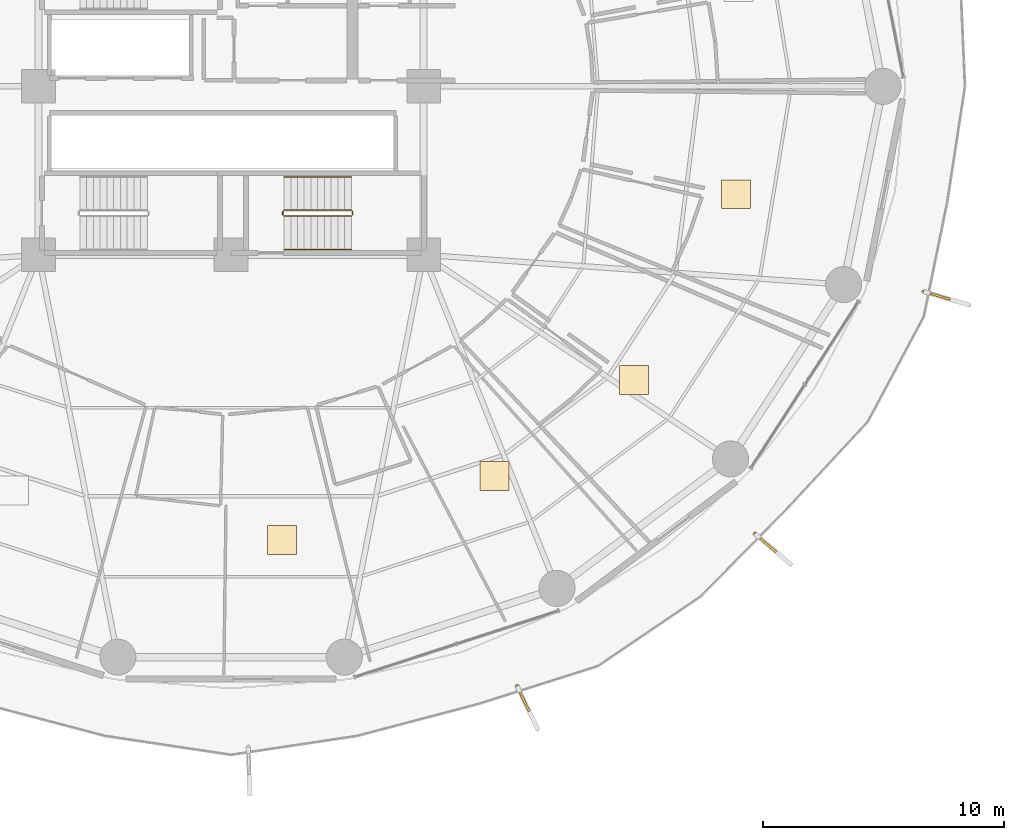
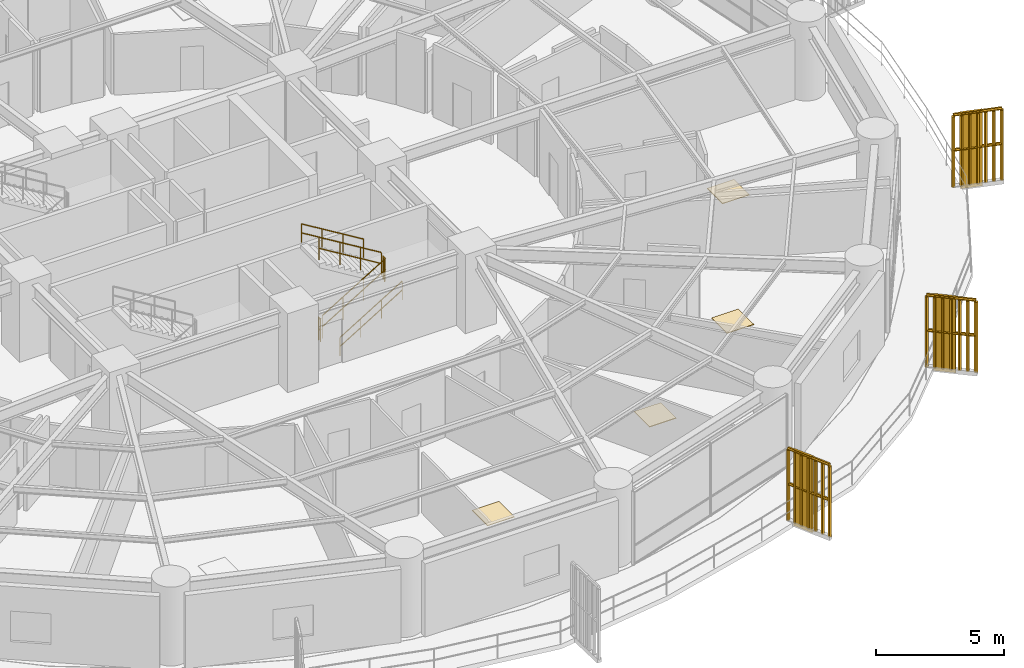
# One storey, part 32 of 34: 9 railings, 4 coverings, 3 shading devices.
"""IFC4 building model written with IfcOpenShell, lengths in metres."""

from ifc_helpers import new_model, si_unit, direction, frame, origin, origin_2d, place, context, subcontext, project, spatial, polyline, rectangle, outline, extrude, source, transform, mapped, material, layer, layer_set, type_object, element, save


model = new_model("IFC4")

# Units and contexts
model_context = context("Model", 3, precision=1e-05, world=origin(), true_north=direction((0.0, 1.0)))
body_context = subcontext(model_context, "Body", "Model", "MODEL_VIEW")
ifc_project = project(units=[si_unit("LENGTHUNIT", "METRE"), si_unit("AREAUNIT", "SQUARE_METRE"), si_unit("VOLUMEUNIT", "CUBIC_METRE"), si_unit("PLANEANGLEUNIT", "RADIAN"), si_unit("MASSUNIT", "GRAM", prefix="KILO")], contexts=[model_context])

# Site, building, storey
site_placement = place(None, origin())
site = spatial("IfcSite", under=ifc_project, at=site_placement, CompositionType="ELEMENT")
building_placement = place(site_placement, origin())
building = spatial("IfcBuilding", under=site, at=building_placement, Name="Kelanora Arch Commons", CompositionType="ELEMENT")
storey_placement = place(building_placement, frame((0.0, 0.0, 30.0)))
storey = spatial("IfcBuildingStorey", under=building, at=storey_placement, Name="L07", CompositionType="ELEMENT", Elevation=30.0)

# Railings
ifc_material_1 = material(Name="Anodised bronze vertical shading fin rib assembly")
railing_type_1 = type_object("IfcRailingType", Name="RAIL-FIN-BRZ", PredefinedType="BALUSTRADE", material=ifc_material_1)
railing_1_placement = place(storey_placement, frame((85.883056640625, 33.085693359375, -0.02001953125)))
element("IfcRailing", 1, at=railing_1_placement, inside=storey, type_object=railing_type_1, Name="Sweeping Bronze Vertical Fin Blade L07-12", PredefinedType="BALUSTRADE", context=body_context, shape_type="SweptSolid", body=[
    extrude(outline(polyline([(0.06982421875, 0.0), (0.034912109375, 0.060546875), (-0.034912109375, 0.060546875), (-0.06982421875, 0.0), (-0.034912109375, -0.060546875), (0.034912109375, -0.060546875), (0.06982421875, 0.0)])), frame((0.0, 0.0, 3.419921875), z_axis=(0.430452177424, -0.902613385094, 0.0), x_axis=(0.902613385094, 0.430452177424, 0.0)), (0.0, 0.0, 1.0), 1.955078125),
    extrude(outline(polyline([(0.06982421875, 0.0), (0.034912109375, 0.060546875), (-0.034912109375, 0.060546875), (-0.06982421875, 0.0), (-0.034912109375, -0.060546875), (0.034912109375, -0.060546875), (0.06982421875, 0.0)])), frame((0.0, 0.0, 1.7451171875), z_axis=(0.430452177424, -0.902613385094, 0.0), x_axis=(0.902613385094, 0.430452177424, 0.0)), (0.0, 0.0, 1.0), 1.955078125),
    extrude(outline(polyline([(0.080078125, 0.0), (0.0400390625, 0.0693359375), (-0.0400390625, 0.0693359375), (-0.080078125, 0.0), (-0.0400390625, -0.0693359375), (0.0400390625, -0.0693359375), (0.080078125, 0.0)])), origin(), (0.0, 0.0, 1.0), 3.35009765625),
    extrude(outline(polyline([(0.080078125, 0.0), (0.0400390625, 0.0693359375), (-0.0400390625, 0.0693359375), (-0.080078125, 0.0), (-0.0400390625, -0.0693359375), (0.0400390625, -0.0693359375), (0.080078125, 0.0)])), frame((0.14013671875, -0.294189453125, 0.0)), (0.0, 0.0, 1.0), 3.35009765625),
    extrude(outline(polyline([(0.080078125, 0.0), (0.0400390625, 0.0693359375), (-0.0400390625, 0.0693359375), (-0.080078125, 0.0), (-0.0400390625, -0.0693359375), (0.0400390625, -0.0693359375), (0.080078125, 0.0)])), frame((0.280517578125, -0.588134765625, 0.0)), (0.0, 0.0, 1.0), 3.35009765625),
    extrude(outline(polyline([(0.080078125, 0.0), (0.0400390625, 0.0693359375), (-0.0400390625, 0.0693359375), (-0.080078125, 0.0), (-0.0400390625, -0.0693359375), (0.0400390625, -0.0693359375), (0.080078125, 0.0)])), frame((0.4208984375, -0.88232421875, 0.0)), (0.0, 0.0, 1.0), 3.35009765625),
    extrude(outline(polyline([(0.080078125, 0.0), (0.0400390625, 0.0693359375), (-0.0400390625, 0.0693359375), (-0.080078125, 0.0), (-0.0400390625, -0.0693359375), (0.0400390625, -0.0693359375), (0.080078125, 0.0)])), frame((0.56103515625, -1.176513671875, 0.0)), (0.0, 0.0, 1.0), 3.35009765625),
    extrude(outline(polyline([(0.080078125, 0.0), (0.0400390625, 0.0693359375), (-0.0400390625, 0.0693359375), (-0.080078125, 0.0), (-0.0400390625, -0.0693359375), (0.0400390625, -0.0693359375), (0.080078125, 0.0)])), frame((0.701171875, -1.470458984375, 0.0)), (0.0, 0.0, 1.0), 3.35009765625),
    extrude(outline(polyline([(0.080078125, 0.0), (0.0400390625, 0.0693359375), (-0.0400390625, 0.0693359375), (-0.080078125, 0.0), (-0.0400390625, -0.0693359375), (0.0400390625, -0.0693359375), (0.080078125, 0.0)])), frame((0.841552734375, -1.7646484375, 0.0)), (0.0, 0.0, 1.0), 3.35009765625),
])
railing_2_placement = place(storey_placement, frame((95.76171875, 39.4130859375, -0.02001953125)))
element("IfcRailing", 2, at=railing_2_placement, inside=storey, type_object=railing_type_1, Name="Sweeping Bronze Vertical Fin Blade L07-13", PredefinedType="BALUSTRADE", context=body_context, shape_type="SweptSolid", body=[
    extrude(outline(polyline([(0.06982421875, 0.0), (0.034912109375, 0.060546875), (-0.034912109375, 0.060546875), (-0.06982421875, 0.0), (-0.034912109375, -0.060546875), (0.034912109375, -0.060546875), (0.06982421875, 0.0)])), frame((0.0, 0.0, 3.419921875), z_axis=(0.760374962997, -0.64948434596, 0.0), x_axis=(0.64948434596, 0.760374962997, 0.0)), (0.0, 0.0, 1.0), 1.955078125),
    extrude(outline(polyline([(0.06982421875, 0.0), (0.034912109375, 0.060546875), (-0.034912109375, 0.060546875), (-0.06982421875, 0.0), (-0.034912109375, -0.060546875), (0.034912109375, -0.060546875), (0.06982421875, 0.0)])), frame((0.0, 0.0, 1.7451171875), z_axis=(0.760374962997, -0.64948434596, 0.0), x_axis=(0.64948434596, 0.760374962997, 0.0)), (0.0, 0.0, 1.0), 1.955078125),
    extrude(outline(polyline([(0.080078125, 0.0), (0.0400390625, 0.0693359375), (-0.0400390625, 0.0693359375), (-0.080078125, 0.0), (-0.0400390625, -0.0693359375), (0.0400390625, -0.0693359375), (0.080078125, 0.0)])), origin(), (0.0, 0.0, 1.0), 3.35009765625),
    extrude(outline(polyline([(0.080078125, 0.0), (0.0400390625, 0.0693359375), (-0.0400390625, 0.0693359375), (-0.080078125, 0.0), (-0.0400390625, -0.0693359375), (0.0400390625, -0.0693359375), (0.080078125, 0.0)])), frame((0.247802734375, -0.211669921875, 0.0)), (0.0, 0.0, 1.0), 3.35009765625),
    extrude(outline(polyline([(0.080078125, 0.0), (0.0400390625, 0.0693359375), (-0.0400390625, 0.0693359375), (-0.080078125, 0.0), (-0.0400390625, -0.0693359375), (0.0400390625, -0.0693359375), (0.080078125, 0.0)])), frame((0.49560546875, -0.42333984375, 0.0)), (0.0, 0.0, 1.0), 3.35009765625),
    extrude(outline(polyline([(0.080078125, 0.0), (0.0400390625, 0.0693359375), (-0.0400390625, 0.0693359375), (-0.080078125, 0.0), (-0.0400390625, -0.0693359375), (0.0400390625, -0.0693359375), (0.080078125, 0.0)])), frame((0.7431640625, -0.634765625, 0.0)), (0.0, 0.0, 1.0), 3.35009765625),
    extrude(outline(polyline([(0.080078125, 0.0), (0.0400390625, 0.0693359375), (-0.0400390625, 0.0693359375), (-0.080078125, 0.0), (-0.0400390625, -0.0693359375), (0.0400390625, -0.0693359375), (0.080078125, 0.0)])), frame((0.990966796875, -0.846435546875, 0.0)), (0.0, 0.0, 1.0), 3.35009765625),
    extrude(outline(polyline([(0.080078125, 0.0), (0.0400390625, 0.0693359375), (-0.0400390625, 0.0693359375), (-0.080078125, 0.0), (-0.0400390625, -0.0693359375), (0.0400390625, -0.0693359375), (0.080078125, 0.0)])), frame((1.23876953125, -1.05810546875, 0.0)), (0.0, 0.0, 1.0), 3.35009765625),
    extrude(outline(polyline([(0.080078125, 0.0), (0.0400390625, 0.0693359375), (-0.0400390625, 0.0693359375), (-0.080078125, 0.0), (-0.0400390625, -0.0693359375), (0.0400390625, -0.0693359375), (0.080078125, 0.0)])), frame((1.486572265625, -1.269775390625, 0.0)), (0.0, 0.0, 1.0), 3.35009765625),
])
railing_3_placement = place(storey_placement, frame((102.765869140625, 49.478515625, -0.02001953125)))
element("IfcRailing", 3, at=railing_3_placement, inside=storey, type_object=railing_type_1, Name="Sweeping Bronze Vertical Fin Blade L07-14", PredefinedType="BALUSTRADE", context=body_context, shape_type="SweptSolid", body=[
    extrude(outline(polyline([(0.06982421875, 0.0), (0.034912109375, 0.060546875), (-0.034912109375, 0.060546875), (-0.06982421875, 0.0), (-0.034912109375, -0.060546875), (0.034912109375, -0.060546875), (0.06982421875, 0.0)])), frame((0.0, 0.0, 3.419921875), z_axis=(0.958830861821, -0.283977778039, 0.0), x_axis=(0.283977778039, 0.958830861821, 0.0)), (0.0, 0.0, 1.0), 1.955078125),
    extrude(outline(polyline([(0.06982421875, 0.0), (0.034912109375, 0.060546875), (-0.034912109375, 0.060546875), (-0.06982421875, 0.0), (-0.034912109375, -0.060546875), (0.034912109375, -0.060546875), (0.06982421875, 0.0)])), frame((0.0, 0.0, 1.7451171875), z_axis=(0.958830861821, -0.283977778039, 0.0), x_axis=(0.283977778039, 0.958830861821, 0.0)), (0.0, 0.0, 1.0), 1.955078125),
    extrude(outline(polyline([(0.080078125, 0.0), (0.0400390625, 0.0693359375), (-0.0400390625, 0.0693359375), (-0.080078125, 0.0), (-0.0400390625, -0.0693359375), (0.0400390625, -0.0693359375), (0.080078125, 0.0)])), origin(), (0.0, 0.0, 1.0), 3.35009765625),
    extrude(outline(polyline([(0.080078125, 0.0), (0.0400390625, 0.0693359375), (-0.0400390625, 0.0693359375), (-0.080078125, 0.0), (-0.0400390625, -0.0693359375), (0.0400390625, -0.0693359375), (0.080078125, 0.0)])), frame((0.3125, -0.092529296875, 0.0)), (0.0, 0.0, 1.0), 3.35009765625),
    extrude(outline(polyline([(0.080078125, 0.0), (0.0400390625, 0.0693359375), (-0.0400390625, 0.0693359375), (-0.080078125, 0.0), (-0.0400390625, -0.0693359375), (0.0400390625, -0.0693359375), (0.080078125, 0.0)])), frame((0.624755859375, -0.18505859375, 0.0)), (0.0, 0.0, 1.0), 3.35009765625),
    extrude(outline(polyline([(0.080078125, 0.0), (0.0400390625, 0.0693359375), (-0.0400390625, 0.0693359375), (-0.080078125, 0.0), (-0.0400390625, -0.0693359375), (0.0400390625, -0.0693359375), (0.080078125, 0.0)])), frame((0.937255859375, -0.277587890625, 0.0)), (0.0, 0.0, 1.0), 3.35009765625),
    extrude(outline(polyline([(0.080078125, 0.0), (0.0400390625, 0.0693359375), (-0.0400390625, 0.0693359375), (-0.080078125, 0.0), (-0.0400390625, -0.0693359375), (0.0400390625, -0.0693359375), (0.080078125, 0.0)])), frame((1.249755859375, -0.3701171875, 0.0)), (0.0, 0.0, 1.0), 3.35009765625),
    extrude(outline(polyline([(0.080078125, 0.0), (0.0400390625, 0.0693359375), (-0.0400390625, 0.0693359375), (-0.080078125, 0.0), (-0.0400390625, -0.0693359375), (0.0400390625, -0.0693359375), (0.080078125, 0.0)])), frame((1.56201171875, -0.462646484375, 0.0)), (0.0, 0.0, 1.0), 3.35009765625),
    extrude(outline(polyline([(0.080078125, 0.0), (0.0400390625, 0.0693359375), (-0.0400390625, 0.0693359375), (-0.080078125, 0.0), (-0.0400390625, -0.0693359375), (0.0400390625, -0.0693359375), (0.080078125, 0.0)])), frame((1.87451171875, -0.55517578125, 0.0)), (0.0, 0.0, 1.0), 3.35009765625),
])
ifc_material_2 = material(Name="Painted steel stair well guard", Category="steel")
railing_type_2 = type_object("IfcRailingType", Name="RAIL-STAIR-GRD", PredefinedType="GUARDRAIL", material=ifc_material_2)
railing_4_placement = place(storey_placement, frame((76.199951171875, 52.610107421875, 0.17041015625)))
element("IfcRailing", 4, at=railing_4_placement, inside=storey, type_object=railing_type_2, Name="L07 ST-T2 stair guard 1", PredefinedType="GUARDRAIL", context=body_context, shape_type="SweptSolid", body=[
    extrude(outline(polyline([(0.02392578125, 0.0), (0.011962890625, 0.020751953125), (-0.011962890625, 0.020751953125), (-0.02392578125, 0.0), (-0.011962890625, -0.020751953125), (0.011962890625, -0.020751953125), (0.02392578125, 0.0)])), frame((0.0, 0.0, 1.076171875), z_axis=(0.854169791009, 0.0, 0.51999420009), x_axis=(0.0, 1.0, 0.0)), (0.0, 0.0, 1.0), 3.278076171875),
    extrude(outline(polyline([(0.02392578125, 0.0), (0.011962890625, 0.020751953125), (-0.011962890625, 0.020751953125), (-0.02392578125, 0.0), (-0.011962890625, -0.020751953125), (0.011962890625, -0.020751953125), (0.02392578125, 0.0)])), frame((0.0, 0.0, 0.550048828125), z_axis=(0.854169791009, 0.0, 0.51999420009), x_axis=(0.0, 1.0, 0.0)), (0.0, 0.0, 1.0), 3.278076171875),
    extrude(outline(polyline([(0.02099609375, 0.0), (0.010498046875, 0.01806640625), (-0.010498046875, 0.01806640625), (-0.02099609375, 0.0), (-0.010498046875, -0.01806640625), (0.010498046875, -0.01806640625), (0.02099609375, 0.0)])), origin(), (0.0, 0.0, 1.0), 1.052001953125),
    extrude(outline(polyline([(0.02099609375, 0.0), (0.010498046875, 0.01806640625), (-0.010498046875, 0.01806640625), (-0.02099609375, 0.0), (-0.010498046875, -0.01806640625), (0.010498046875, -0.01806640625), (0.02099609375, 0.0)])), frame((0.933349609375, 0.0, 0.568115234375)), (0.0, 0.0, 1.0), 1.052001953125),
    extrude(outline(polyline([(0.02099609375, 0.0), (0.010498046875, 0.01806640625), (-0.010498046875, 0.01806640625), (-0.02099609375, 0.0), (-0.010498046875, -0.01806640625), (0.010498046875, -0.01806640625), (0.02099609375, 0.0)])), frame((1.86669921875, 0.0, 1.136474609375)), (0.0, 0.0, 1.0), 1.052001953125),
    extrude(outline(polyline([(0.02099609375, 0.0), (0.010498046875, 0.01806640625), (-0.010498046875, 0.01806640625), (-0.02099609375, 0.0), (-0.010498046875, -0.01806640625), (0.010498046875, -0.01806640625), (0.02099609375, 0.0)])), frame((2.800048828125, 0.0, 1.70458984375)), (0.0, 0.0, 1.0), 1.052001953125),
])
railing_5_placement = place(storey_placement, frame((79.050048828125, 52.659912109375, 1.875)))
element("IfcRailing", 5, at=railing_5_placement, inside=storey, type_object=railing_type_2, Name="L07 ST-T2 stair guard 2", PredefinedType="GUARDRAIL", context=body_context, shape_type="SweptSolid", body=[
    extrude(outline(polyline([(0.02392578125, 0.0), (0.011962890625, 0.020751953125), (-0.011962890625, 0.020751953125), (-0.02392578125, 0.0), (-0.011962890625, -0.020751953125), (0.011962890625, -0.020751953125), (0.02392578125, 0.0)])), frame((0.0, 0.0, 1.076171875), z_axis=(0.0, 1.0, 0.0), x_axis=(-1.0, 0.0, 0.0)), (0.0, 0.0, 1.0), 0.150146484375),
    extrude(outline(polyline([(0.02392578125, 0.0), (0.011962890625, 0.020751953125), (-0.011962890625, 0.020751953125), (-0.02392578125, 0.0), (-0.011962890625, -0.020751953125), (0.011962890625, -0.020751953125), (0.02392578125, 0.0)])), frame((0.0, 0.0, 0.550048828125), z_axis=(0.0, 1.0, 0.0), x_axis=(-1.0, 0.0, 0.0)), (0.0, 0.0, 1.0), 0.150146484375),
    extrude(outline(polyline([(0.02099609375, 0.0), (0.010498046875, 0.01806640625), (-0.010498046875, 0.01806640625), (-0.02099609375, 0.0), (-0.010498046875, -0.01806640625), (0.010498046875, -0.01806640625), (0.02099609375, 0.0)])), origin(), (0.0, 0.0, 1.0), 1.052001953125),
    extrude(outline(polyline([(0.02099609375, 0.0), (0.010498046875, 0.01806640625), (-0.010498046875, 0.01806640625), (-0.02099609375, 0.0), (-0.010498046875, -0.01806640625), (0.010498046875, -0.01806640625), (0.02099609375, 0.0)])), frame((0.0, 0.150146484375, 0.0)), (0.0, 0.0, 1.0), 1.052001953125),
])
railing_6_placement = place(storey_placement, frame((79.0, 52.860107421875, 2.04541015625)))
element("IfcRailing", 6, at=railing_6_placement, inside=storey, type_object=railing_type_2, Name="L07 ST-T2 stair guard 3", PredefinedType="GUARDRAIL", context=body_context, shape_type="SweptSolid", body=[
    extrude(outline(polyline([(0.02392578125, 0.0), (0.011962890625, 0.020751953125), (-0.011962890625, 0.020751953125), (-0.02392578125, 0.0), (-0.011962890625, -0.020751953125), (0.011962890625, -0.020751953125), (0.02392578125, 0.0)])), frame((0.0, 0.0, 1.076171875), z_axis=(-0.854169791009, 0.0, 0.51999420009), x_axis=(0.0, -1.0, 0.0)), (0.0, 0.0, 1.0), 3.278076171875),
    extrude(outline(polyline([(0.02392578125, 0.0), (0.011962890625, 0.020751953125), (-0.011962890625, 0.020751953125), (-0.02392578125, 0.0), (-0.011962890625, -0.020751953125), (0.011962890625, -0.020751953125), (0.02392578125, 0.0)])), frame((0.0, 0.0, 0.550048828125), z_axis=(-0.854169791009, 0.0, 0.51999420009), x_axis=(0.0, -1.0, 0.0)), (0.0, 0.0, 1.0), 3.278076171875),
    extrude(outline(polyline([(0.02099609375, 0.0), (0.010498046875, 0.01806640625), (-0.010498046875, 0.01806640625), (-0.02099609375, 0.0), (-0.010498046875, -0.01806640625), (0.010498046875, -0.01806640625), (0.02099609375, 0.0)])), origin(), (0.0, 0.0, 1.0), 1.052001953125),
    extrude(outline(polyline([(0.02099609375, 0.0), (0.010498046875, 0.01806640625), (-0.010498046875, 0.01806640625), (-0.02099609375, 0.0), (-0.010498046875, -0.01806640625), (0.010498046875, -0.01806640625), (0.02099609375, 0.0)])), frame((-0.933349609375, 0.0, 0.568115234375)), (0.0, 0.0, 1.0), 1.052001953125),
    extrude(outline(polyline([(0.02099609375, 0.0), (0.010498046875, 0.01806640625), (-0.010498046875, 0.01806640625), (-0.02099609375, 0.0), (-0.010498046875, -0.01806640625), (0.010498046875, -0.01806640625), (0.02099609375, 0.0)])), frame((-1.86669921875, 0.0, 1.136474609375)), (0.0, 0.0, 1.0), 1.052001953125),
    extrude(outline(polyline([(0.02099609375, 0.0), (0.010498046875, 0.01806640625), (-0.010498046875, 0.01806640625), (-0.02099609375, 0.0), (-0.010498046875, -0.01806640625), (0.010498046875, -0.01806640625), (0.02099609375, 0.0)])), frame((-2.800048828125, 0.0, 1.70458984375)), (0.0, 0.0, 1.0), 1.052001953125),
])
railing_7_placement = place(storey_placement, frame((76.14990234375, 52.659912109375, 0.0)))
element("IfcRailing", 7, at=railing_7_placement, inside=storey, type_object=railing_type_2, Name="L07 ST-T2 stair guard 4", PredefinedType="GUARDRAIL", context=body_context, shape_type="SweptSolid", body=[
    extrude(outline(polyline([(0.02392578125, 0.0), (0.011962890625, 0.020751953125), (-0.011962890625, 0.020751953125), (-0.02392578125, 0.0), (-0.011962890625, -0.020751953125), (0.011962890625, -0.020751953125), (0.02392578125, 0.0)])), frame((0.0, 0.0, 1.076171875), z_axis=(0.0, 1.0, 0.0), x_axis=(-1.0, 0.0, 0.0)), (0.0, 0.0, 1.0), 0.150146484375),
    extrude(outline(polyline([(0.02392578125, 0.0), (0.011962890625, 0.020751953125), (-0.011962890625, 0.020751953125), (-0.02392578125, 0.0), (-0.011962890625, -0.020751953125), (0.011962890625, -0.020751953125), (0.02392578125, 0.0)])), frame((0.0, 0.0, 0.550048828125), z_axis=(0.0, 1.0, 0.0), x_axis=(-1.0, 0.0, 0.0)), (0.0, 0.0, 1.0), 0.150146484375),
    extrude(outline(polyline([(0.02099609375, 0.0), (0.010498046875, 0.01806640625), (-0.010498046875, 0.01806640625), (-0.02099609375, 0.0), (-0.010498046875, -0.01806640625), (0.010498046875, -0.01806640625), (0.02099609375, 0.0)])), origin(), (0.0, 0.0, 1.0), 1.052001953125),
    extrude(outline(polyline([(0.02099609375, 0.0), (0.010498046875, 0.01806640625), (-0.010498046875, 0.01806640625), (-0.02099609375, 0.0), (-0.010498046875, -0.01806640625), (0.010498046875, -0.01806640625), (0.02099609375, 0.0)])), frame((0.0, 0.150146484375, 0.0)), (0.0, 0.0, 1.0), 1.052001953125),
])
ifc_material_3 = material(Name="Brushed stainless steel stair handrail", Category="steel")
railing_type_3 = type_object("IfcRailingType", Name="RAIL-STAIR-HND", PredefinedType="HANDRAIL", material=ifc_material_3)
railing_8_placement = place(storey_placement, frame((76.199951171875, 51.22998046875, 0.17041015625)))
element("IfcRailing", 8, at=railing_8_placement, inside=storey, type_object=railing_type_3, Name="L07 ST-T2 stair handrail 1", PredefinedType="HANDRAIL", context=body_context, shape_type="SweptSolid", body=[
    extrude(outline(polyline([(0.02392578125, 0.0), (0.011962890625, 0.020751953125), (-0.011962890625, 0.020751953125), (-0.02392578125, 0.0), (-0.011962890625, -0.020751953125), (0.011962890625, -0.020751953125), (0.02392578125, 0.0)])), frame((0.0, 0.0, 0.8759765625), z_axis=(0.854169791009, 0.0, 0.51999420009), x_axis=(0.0, 1.0, 0.0)), (0.0, 0.0, 1.0), 3.278076171875),
    extrude(outline(polyline([(0.02392578125, 0.0), (0.011962890625, 0.020751953125), (-0.011962890625, 0.020751953125), (-0.02392578125, 0.0), (-0.011962890625, -0.020751953125), (0.011962890625, -0.020751953125), (0.02392578125, 0.0)])), frame((0.0, 0.0, 0.449951171875), z_axis=(0.854169791009, 0.0, 0.51999420009), x_axis=(0.0, 1.0, 0.0)), (0.0, 0.0, 1.0), 3.278076171875),
    extrude(outline(polyline([(0.02099609375, 0.0), (0.010498046875, 0.01806640625), (-0.010498046875, 0.01806640625), (-0.02099609375, 0.0), (-0.010498046875, -0.01806640625), (0.010498046875, -0.01806640625), (0.02099609375, 0.0)])), origin(), (0.0, 0.0, 1.0), 0.851806640625),
    extrude(outline(polyline([(0.02099609375, 0.0), (0.010498046875, 0.01806640625), (-0.010498046875, 0.01806640625), (-0.02099609375, 0.0), (-0.010498046875, -0.01806640625), (0.010498046875, -0.01806640625), (0.02099609375, 0.0)])), frame((0.933349609375, 0.0, 0.568115234375)), (0.0, 0.0, 1.0), 0.851806640625),
    extrude(outline(polyline([(0.02099609375, 0.0), (0.010498046875, 0.01806640625), (-0.010498046875, 0.01806640625), (-0.02099609375, 0.0), (-0.010498046875, -0.01806640625), (0.010498046875, -0.01806640625), (0.02099609375, 0.0)])), frame((1.86669921875, 0.0, 1.136474609375)), (0.0, 0.0, 1.0), 0.851806640625),
    extrude(outline(polyline([(0.02099609375, 0.0), (0.010498046875, 0.01806640625), (-0.010498046875, 0.01806640625), (-0.02099609375, 0.0), (-0.010498046875, -0.01806640625), (0.010498046875, -0.01806640625), (0.02099609375, 0.0)])), frame((2.800048828125, 0.0, 1.70458984375)), (0.0, 0.0, 1.0), 0.851806640625),
])
railing_9_placement = place(storey_placement, frame((79.0, 54.239990234375, 2.04541015625)))
element("IfcRailing", 9, at=railing_9_placement, inside=storey, type_object=railing_type_3, Name="L07 ST-T2 stair handrail 2", PredefinedType="HANDRAIL", context=body_context, shape_type="SweptSolid", body=[
    extrude(outline(polyline([(0.02392578125, 0.0), (0.011962890625, 0.020751953125), (-0.011962890625, 0.020751953125), (-0.02392578125, 0.0), (-0.011962890625, -0.020751953125), (0.011962890625, -0.020751953125), (0.02392578125, 0.0)])), frame((0.0, 0.0, 0.8759765625), z_axis=(-0.854169791009, 0.0, 0.51999420009), x_axis=(0.0, -1.0, 0.0)), (0.0, 0.0, 1.0), 3.278076171875),
    extrude(outline(polyline([(0.02392578125, 0.0), (0.011962890625, 0.020751953125), (-0.011962890625, 0.020751953125), (-0.02392578125, 0.0), (-0.011962890625, -0.020751953125), (0.011962890625, -0.020751953125), (0.02392578125, 0.0)])), frame((0.0, 0.0, 0.449951171875), z_axis=(-0.854169791009, 0.0, 0.51999420009), x_axis=(0.0, -1.0, 0.0)), (0.0, 0.0, 1.0), 3.278076171875),
    extrude(outline(polyline([(0.02099609375, 0.0), (0.010498046875, 0.01806640625), (-0.010498046875, 0.01806640625), (-0.02099609375, 0.0), (-0.010498046875, -0.01806640625), (0.010498046875, -0.01806640625), (0.02099609375, 0.0)])), origin(), (0.0, 0.0, 1.0), 0.851806640625),
    extrude(outline(polyline([(0.02099609375, 0.0), (0.010498046875, 0.01806640625), (-0.010498046875, 0.01806640625), (-0.02099609375, 0.0), (-0.010498046875, -0.01806640625), (0.010498046875, -0.01806640625), (0.02099609375, 0.0)])), frame((-0.933349609375, 0.0, 0.568115234375)), (0.0, 0.0, 1.0), 0.851806640625),
    extrude(outline(polyline([(0.02099609375, 0.0), (0.010498046875, 0.01806640625), (-0.010498046875, 0.01806640625), (-0.02099609375, 0.0), (-0.010498046875, -0.01806640625), (0.010498046875, -0.01806640625), (0.02099609375, 0.0)])), frame((-1.86669921875, 0.0, 1.136474609375)), (0.0, 0.0, 1.0), 0.851806640625),
    extrude(outline(polyline([(0.02099609375, 0.0), (0.010498046875, 0.01806640625), (-0.010498046875, 0.01806640625), (-0.02099609375, 0.0), (-0.010498046875, -0.01806640625), (0.010498046875, -0.01806640625), (0.02099609375, 0.0)])), frame((-2.800048828125, 0.0, 1.70458984375)), (0.0, 0.0, 1.0), 0.851806640625),
])

# Shading devices
ifc_material_4 = material(Name="Terracotta ceramic-clad extruded aluminium fin", Category="masonry")
shading_device_type = type_object("IfcShadingDeviceType", Name="SHD-FIN-FLARE", PredefinedType="USERDEFINED", material=ifc_material_4)
shared_shape_1 = source(origin(), body_context, "Body", "SweptSolid", [
    extrude(rectangle(XDim=0.8798828125, YDim=0.090087890625, at=origin_2d()), origin(), (0.0, 0.0, 1.0), 3.610107421875),
])
for number, where, z_axis, x_axis, name in (
    (10, (86.193115234375, 32.435791015625, -0.14013671875), (0.0, 0.0, 1.0), (0.430511096808, -0.90258528435, 0.0), "Sweeping Terracotta Fin L07-12"),
    (11, (96.309326171875, 38.9453125, -0.14013671875), (0.0, 0.0, 1.0), (0.7604059656, -0.64944804833, 0.0), "Sweeping Terracotta Fin L07-13"),
    (12, (103.456298828125, 49.274169921875, -0.14013671875), (0.0, 0.0, 1.0), (0.958819734868, -0.284015344704, 0.0), "Sweeping Terracotta Fin L07-14"),
):
    element("IfcShadingDevice", number, at=place(storey_placement, frame(where, z_axis=z_axis, x_axis=x_axis)), inside=storey, type_object=shading_device_type, Name=name, ObjectType="FIN", PredefinedType="USERDEFINED", context=body_context, shape_type="MappedRepresentation", body=[
        mapped(shared_shape_1, transform((0.0, 0.0, 0.0), scale=1.0)),
    ])

# Coverings
ifc_material_5 = material(Name="Polished local granite terrazzo flooring", Category="masonry")
ifc_layer = layer(ifc_material_5, 0.030029296875)
ifc_layer_set = layer_set([ifc_layer], Name="Polished local granite terrazzo flooring")
covering_type = type_object("IfcCoveringType", Name="COV-FLR-TER", PredefinedType="FLOORING", material=ifc_layer_set)
shared_shape_2 = source(origin(), body_context, "Body", "SweptSolid", [
    extrude(rectangle(XDim=1.199951171875, YDim=1.199951171875, at=origin_2d()), origin(), (0.0, 0.0, 1.0), 0.030029296875),
])
for number, where, z_axis, x_axis, name in (
    (13, (76.12255859375, 39.1591796875, 0.0), (0.0, 0.0, 1.0), (1.0, 0.0, 0.0), "Quiet Reading Carrel L07-11 Terrazzo Finish"),
    (14, (84.94091796875, 41.8134765625, 0.0), (0.0, 0.0, 1.0), (1.0, 0.0, 0.0), "Tutorial Study Alcove L07-12 Terrazzo Finish"),
    (15, (90.73291015625, 45.807373046875, 0.0), (0.0, 0.0, 1.0), (1.0, 0.0, 0.0), "Co-Living Studio L07-13 Terrazzo Finish"),
    (16, (94.982666015625, 53.51953125, 0.0), (0.0, 0.0, 1.0), (1.0, 0.0, 0.0), "Co-Living Studio L07-14 Terrazzo Finish"),
):
    element("IfcCovering", number, at=place(storey_placement, frame(where, z_axis=z_axis, x_axis=x_axis)), inside=storey, type_object=covering_type, Name=name, PredefinedType="FLOORING", context=body_context, shape_type="MappedRepresentation", body=[
        mapped(shared_shape_2, transform((0.0, 0.0, 0.0), scale=1.0)),
    ])

save(model, "model.ifc")
